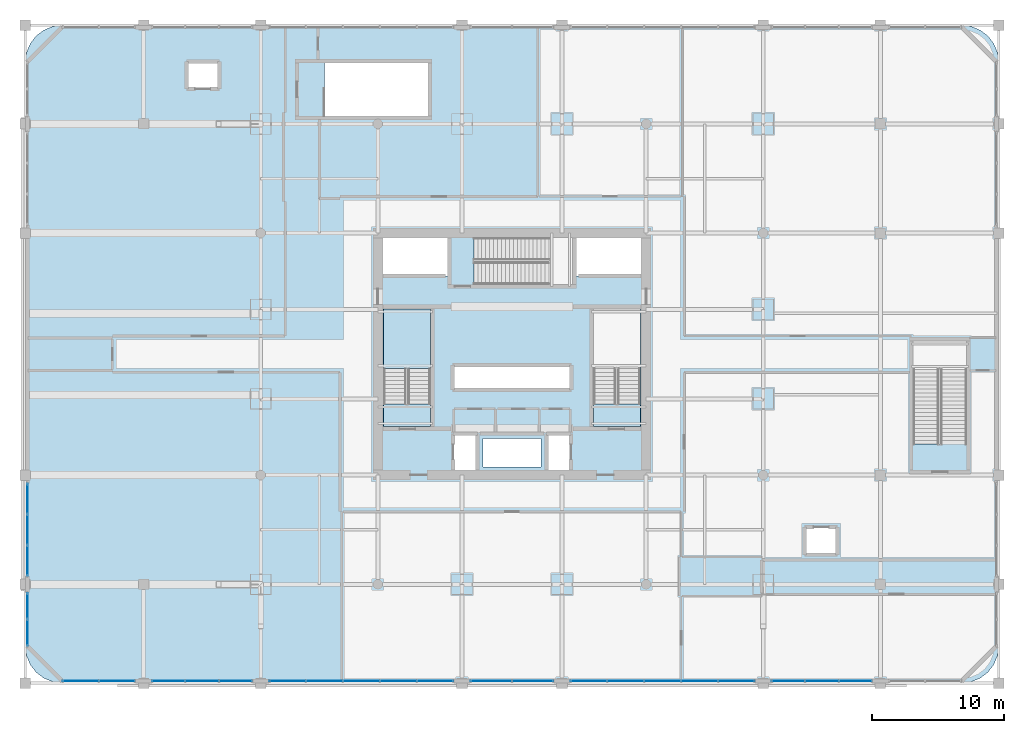
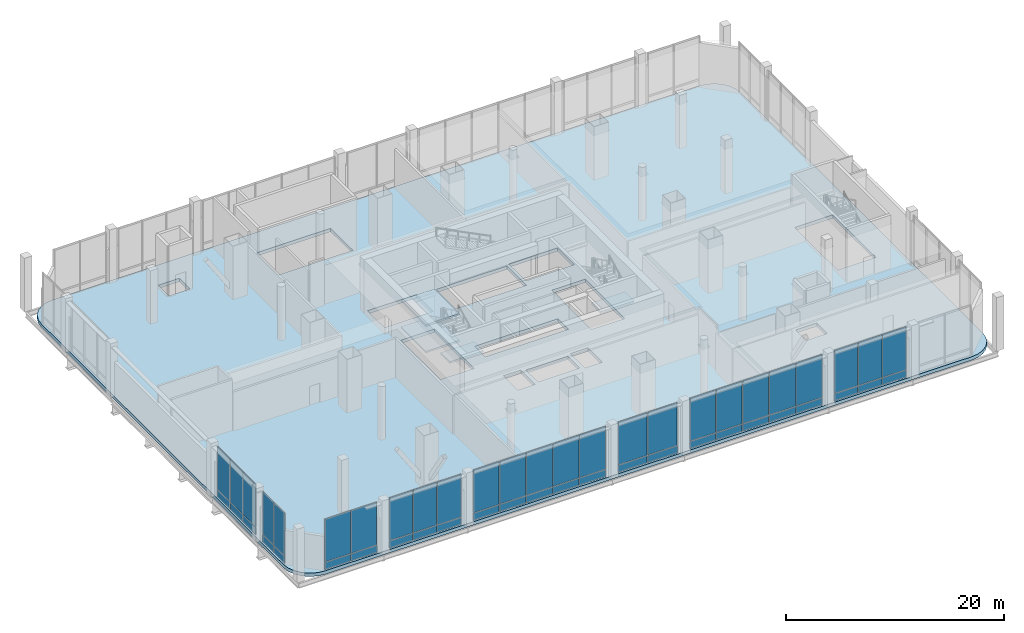
# One storey, part 22 of 38: 50 plates, 5 slabs, 10 elements without a shape of their own.
"""IFC4 building model written with IfcOpenShell, lengths in metres."""

from ifc_helpers import new_model, si_unit, direction, frame, origin, origin_2d, place, context, subcontext, project, spatial, polyline, rectangle, outline, extrude, material, layer, layer_set, type_object, element, aggregate, save


model = new_model("IFC4")

# Units and contexts
model_context = context("Model", 3, precision=1e-05, world=origin(), true_north=direction((0.0, 1.0)))
body_context = subcontext(model_context, "Body", "Model", "MODEL_VIEW")
ifc_project = project(units=[si_unit("LENGTHUNIT", "METRE"), si_unit("AREAUNIT", "SQUARE_METRE"), si_unit("VOLUMEUNIT", "CUBIC_METRE"), si_unit("PLANEANGLEUNIT", "RADIAN"), si_unit("MASSUNIT", "GRAM", prefix="KILO")], contexts=[model_context])

# Site, building, storey
site_placement = place(None, origin())
site = spatial("IfcSite", under=ifc_project, at=site_placement, CompositionType="ELEMENT")
building_placement = place(site_placement, origin())
building = spatial("IfcBuilding", under=site, at=building_placement, Name="Punatoya Terracotta Tower", CompositionType="ELEMENT")
storey_placement = place(building_placement, frame((0.0, 0.0, 22.199951171875)))
storey = spatial("IfcBuildingStorey", under=building, at=storey_placement, Name="L04", CompositionType="ELEMENT", Elevation=22.199951171875)

# Curtain wall, plates
ifc_material_1 = material(Name="Aluminium 6063-T6 + Double Low-E Glass", Category="aluminium")
curtain_wall_type = type_object("IfcCurtainWallType", Name="CW-POD", PredefinedType="NOTDEFINED", material=ifc_material_1)
curtain_wall_1_placement = place(storey_placement, origin())
curtain_wall_1 = element("IfcCurtainWall", 1, at=curtain_wall_1_placement, inside=storey, type_object=curtain_wall_type, Name="L04 Curtain Wall CWP-L04-S1", PredefinedType="NOTDEFINED")
ifc_material_2 = material(Name="Double Low-E Clear Vision Glass", Category="glass")
ifc_layer_1 = layer(ifc_material_2, 0.028076171875)
ifc_layer_set_1 = layer_set([ifc_layer_1], Name="Double Low-E Clear Vision Glass")
plate_type_1 = type_object("IfcPlateType", Name="PLT-GLZ-28", PredefinedType="CURTAIN_PANEL", material=ifc_layer_set_1)
plate_1_placement = place(storey_placement, frame((-32.804931640625, -24.840087890625, 0.89013671875), z_axis=(0.0, 0.0, 1.0), x_axis=(1.0, 0.0, 0.0)))
plate_1 = element("IfcPlate", 2, at=plate_1_placement, type_object=plate_type_1, Name="CWP-L04-S1 Vision Glass Panel 1", PredefinedType="CURTAIN_PANEL", context=body_context, shape_type="SweptSolid", body=[
    extrude(rectangle(XDim=2.705078125, YDim=0.028076171875, at=origin_2d()), origin(), (0.0, 0.0, 1.0), 4.7900390625),
])
plate_2_placement = place(storey_placement, frame((-30.014892578125, -24.840087890625, 0.89013671875), z_axis=(0.0, 0.0, 1.0), x_axis=(1.0, 0.0, 0.0)))
plate_2 = element("IfcPlate", 3, at=plate_2_placement, type_object=plate_type_1, Name="CWP-L04-S1 Vision Glass Panel 2", PredefinedType="CURTAIN_PANEL", context=body_context, shape_type="SweptSolid", body=[
    extrude(rectangle(XDim=2.705078125, YDim=0.028076171875, at=origin_2d()), origin(), (0.0, 0.0, 1.0), 4.7900390625),
])

curtain_wall_2_placement = place(storey_placement, origin())
curtain_wall_2 = element("IfcCurtainWall", 4, at=curtain_wall_2_placement, inside=storey, type_object=curtain_wall_type, Name="L04 Curtain Wall CWP-L04-S2", PredefinedType="NOTDEFINED")
plate_3_placement = place(storey_placement, frame((-26.103271484375, -24.840087890625, 0.89013671875), z_axis=(0.0, 0.0, 1.0), x_axis=(1.0, 0.0, 0.0)))
plate_3 = element("IfcPlate", 5, at=plate_3_placement, type_object=plate_type_1, Name="CWP-L04-S2 Vision Glass Panel 1", PredefinedType="CURTAIN_PANEL", context=body_context, shape_type="SweptSolid", body=[
    extrude(rectangle(XDim=2.46826171875, YDim=0.028076171875, at=origin_2d()), origin(), (0.0, 0.0, 1.0), 4.7900390625),
])
plate_4_placement = place(storey_placement, frame((-23.550048828125, -24.840087890625, 0.89013671875), z_axis=(0.0, 0.0, 1.0), x_axis=(1.0, 0.0, 0.0)))
plate_4 = element("IfcPlate", 6, at=plate_4_placement, type_object=plate_type_1, Name="CWP-L04-S2 Vision Glass Panel 2", PredefinedType="CURTAIN_PANEL", context=body_context, shape_type="SweptSolid", body=[
    extrude(rectangle(XDim=2.46826171875, YDim=0.028076171875, at=origin_2d()), origin(), (0.0, 0.0, 1.0), 4.7900390625),
])
plate_5_placement = place(storey_placement, frame((-20.99658203125, -24.840087890625, 0.89013671875), z_axis=(0.0, 0.0, 1.0), x_axis=(1.0, 0.0, 0.0)))
plate_5 = element("IfcPlate", 7, at=plate_5_placement, type_object=plate_type_1, Name="CWP-L04-S2 Vision Glass Panel 3", PredefinedType="CURTAIN_PANEL", context=body_context, shape_type="SweptSolid", body=[
    extrude(rectangle(XDim=2.46826171875, YDim=0.028076171875, at=origin_2d()), origin(), (0.0, 0.0, 1.0), 4.7900390625),
])

curtain_wall_3_placement = place(storey_placement, origin())
curtain_wall_3 = element("IfcCurtainWall", 8, at=curtain_wall_3_placement, inside=storey, type_object=curtain_wall_type, Name="L04 Curtain Wall CWP-L04-S3", PredefinedType="NOTDEFINED")
plate_6_placement = place(storey_placement, frame((-17.073974609375, -24.840087890625, 0.89013671875), z_axis=(0.0, 0.0, 1.0), x_axis=(1.0, 0.0, 0.0)))
plate_6 = element("IfcPlate", 9, at=plate_6_placement, type_object=plate_type_1, Name="CWP-L04-S3 Vision Glass Panel 1", PredefinedType="CURTAIN_PANEL", context=body_context, shape_type="SweptSolid", body=[
    extrude(rectangle(XDim=2.72705078125, YDim=0.028076171875, at=origin_2d()), origin(), (0.0, 0.0, 1.0), 4.7900390625),
])
plate_7_placement = place(storey_placement, frame((-14.261962890625, -24.840087890625, 0.89013671875), z_axis=(0.0, 0.0, 1.0), x_axis=(1.0, 0.0, 0.0)))
plate_7 = element("IfcPlate", 10, at=plate_7_placement, type_object=plate_type_1, Name="CWP-L04-S3 Vision Glass Panel 2", PredefinedType="CURTAIN_PANEL", context=body_context, shape_type="SweptSolid", body=[
    extrude(rectangle(XDim=2.72705078125, YDim=0.028076171875, at=origin_2d()), origin(), (0.0, 0.0, 1.0), 4.7900390625),
])
plate_8_placement = place(storey_placement, frame((-11.449951171875, -24.840087890625, 0.89013671875), z_axis=(0.0, 0.0, 1.0), x_axis=(1.0, 0.0, 0.0)))
plate_8 = element("IfcPlate", 11, at=plate_8_placement, type_object=plate_type_1, Name="CWP-L04-S3 Vision Glass Panel 3", PredefinedType="CURTAIN_PANEL", context=body_context, shape_type="SweptSolid", body=[
    extrude(rectangle(XDim=2.72705078125, YDim=0.028076171875, at=origin_2d()), origin(), (0.0, 0.0, 1.0), 4.7900390625),
])
plate_9_placement = place(storey_placement, frame((-8.637939453125, -24.840087890625, 0.89013671875), z_axis=(0.0, 0.0, 1.0), x_axis=(1.0, 0.0, 0.0)))
plate_9 = element("IfcPlate", 12, at=plate_9_placement, type_object=plate_type_1, Name="CWP-L04-S3 Vision Glass Panel 4", PredefinedType="CURTAIN_PANEL", context=body_context, shape_type="SweptSolid", body=[
    extrude(rectangle(XDim=2.72705078125, YDim=0.028076171875, at=origin_2d()), origin(), (0.0, 0.0, 1.0), 4.7900390625),
])
plate_10_placement = place(storey_placement, frame((-5.825927734375, -24.840087890625, 0.89013671875), z_axis=(0.0, 0.0, 1.0), x_axis=(1.0, 0.0, 0.0)))
plate_10 = element("IfcPlate", 13, at=plate_10_placement, type_object=plate_type_1, Name="CWP-L04-S3 Vision Glass Panel 5", PredefinedType="CURTAIN_PANEL", context=body_context, shape_type="SweptSolid", body=[
    extrude(rectangle(XDim=2.72705078125, YDim=0.028076171875, at=origin_2d()), origin(), (0.0, 0.0, 1.0), 4.7900390625),
])

curtain_wall_4_placement = place(storey_placement, origin())
curtain_wall_4 = element("IfcCurtainWall", 14, at=curtain_wall_4_placement, inside=storey, type_object=curtain_wall_type, Name="L04 Curtain Wall CWP-L04-S4", PredefinedType="NOTDEFINED")
plate_11_placement = place(storey_placement, frame((-1.590087890625, -24.840087890625, 0.89013671875), z_axis=(0.0, 0.0, 1.0), x_axis=(1.0, 0.0, 0.0)))
plate_11 = element("IfcPlate", 15, at=plate_11_placement, type_object=plate_type_1, Name="CWP-L04-S4 Vision Glass Panel 1", PredefinedType="CURTAIN_PANEL", context=body_context, shape_type="SweptSolid", body=[
    extrude(rectangle(XDim=3.094970703125, YDim=0.028076171875, at=origin_2d()), origin(), (0.0, 0.0, 1.0), 4.7900390625),
])
plate_12_placement = place(storey_placement, frame((1.590087890625, -24.840087890625, 0.89013671875), z_axis=(0.0, 0.0, 1.0), x_axis=(1.0, 0.0, 0.0)))
plate_12 = element("IfcPlate", 16, at=plate_12_placement, type_object=plate_type_1, Name="CWP-L04-S4 Vision Glass Panel 2", PredefinedType="CURTAIN_PANEL", context=body_context, shape_type="SweptSolid", body=[
    extrude(rectangle(XDim=3.094970703125, YDim=0.028076171875, at=origin_2d()), origin(), (0.0, 0.0, 1.0), 4.7900390625),
])

curtain_wall_5_placement = place(storey_placement, origin())
curtain_wall_5 = element("IfcCurtainWall", 17, at=curtain_wall_5_placement, inside=storey, type_object=curtain_wall_type, Name="L04 Curtain Wall CWP-L04-S5", PredefinedType="NOTDEFINED")
plate_13_placement = place(storey_placement, frame((5.825927734375, -24.840087890625, 0.89013671875), z_axis=(0.0, 0.0, 1.0), x_axis=(1.0, 0.0, 0.0)))
plate_13 = element("IfcPlate", 18, at=plate_13_placement, type_object=plate_type_1, Name="CWP-L04-S5 Vision Glass Panel 1", PredefinedType="CURTAIN_PANEL", context=body_context, shape_type="SweptSolid", body=[
    extrude(rectangle(XDim=2.72705078125, YDim=0.028076171875, at=origin_2d()), origin(), (0.0, 0.0, 1.0), 4.7900390625),
])
plate_14_placement = place(storey_placement, frame((8.637939453125, -24.840087890625, 0.89013671875), z_axis=(0.0, 0.0, 1.0), x_axis=(1.0, 0.0, 0.0)))
plate_14 = element("IfcPlate", 19, at=plate_14_placement, type_object=plate_type_1, Name="CWP-L04-S5 Vision Glass Panel 2", PredefinedType="CURTAIN_PANEL", context=body_context, shape_type="SweptSolid", body=[
    extrude(rectangle(XDim=2.72705078125, YDim=0.028076171875, at=origin_2d()), origin(), (0.0, 0.0, 1.0), 4.7900390625),
])
plate_15_placement = place(storey_placement, frame((11.449951171875, -24.840087890625, 0.89013671875), z_axis=(0.0, 0.0, 1.0), x_axis=(1.0, 0.0, 0.0)))
plate_15 = element("IfcPlate", 20, at=plate_15_placement, type_object=plate_type_1, Name="CWP-L04-S5 Vision Glass Panel 3", PredefinedType="CURTAIN_PANEL", context=body_context, shape_type="SweptSolid", body=[
    extrude(rectangle(XDim=2.72705078125, YDim=0.028076171875, at=origin_2d()), origin(), (0.0, 0.0, 1.0), 4.7900390625),
])
plate_16_placement = place(storey_placement, frame((14.261962890625, -24.840087890625, 0.89013671875), z_axis=(0.0, 0.0, 1.0), x_axis=(1.0, 0.0, 0.0)))
plate_16 = element("IfcPlate", 21, at=plate_16_placement, type_object=plate_type_1, Name="CWP-L04-S5 Vision Glass Panel 4", PredefinedType="CURTAIN_PANEL", context=body_context, shape_type="SweptSolid", body=[
    extrude(rectangle(XDim=2.72705078125, YDim=0.028076171875, at=origin_2d()), origin(), (0.0, 0.0, 1.0), 4.7900390625),
])
plate_17_placement = place(storey_placement, frame((17.073974609375, -24.840087890625, 0.89013671875), z_axis=(0.0, 0.0, 1.0), x_axis=(1.0, 0.0, 0.0)))
plate_17 = element("IfcPlate", 22, at=plate_17_placement, type_object=plate_type_1, Name="CWP-L04-S5 Vision Glass Panel 5", PredefinedType="CURTAIN_PANEL", context=body_context, shape_type="SweptSolid", body=[
    extrude(rectangle(XDim=2.72705078125, YDim=0.028076171875, at=origin_2d()), origin(), (0.0, 0.0, 1.0), 4.7900390625),
])

curtain_wall_6_placement = place(storey_placement, origin())
curtain_wall_6 = element("IfcCurtainWall", 23, at=curtain_wall_6_placement, inside=storey, type_object=curtain_wall_type, Name="L04 Curtain Wall CWP-L04-S6", PredefinedType="NOTDEFINED")
plate_18_placement = place(storey_placement, frame((20.99658203125, -24.840087890625, 0.89013671875), z_axis=(0.0, 0.0, 1.0), x_axis=(1.0, 0.0, 0.0)))
plate_18 = element("IfcPlate", 24, at=plate_18_placement, type_object=plate_type_1, Name="CWP-L04-S6 Vision Glass Panel 1", PredefinedType="CURTAIN_PANEL", context=body_context, shape_type="SweptSolid", body=[
    extrude(rectangle(XDim=2.46826171875, YDim=0.028076171875, at=origin_2d()), origin(), (0.0, 0.0, 1.0), 4.7900390625),
])
plate_19_placement = place(storey_placement, frame((23.550048828125, -24.840087890625, 0.89013671875), z_axis=(0.0, 0.0, 1.0), x_axis=(1.0, 0.0, 0.0)))
plate_19 = element("IfcPlate", 25, at=plate_19_placement, type_object=plate_type_1, Name="CWP-L04-S6 Vision Glass Panel 2", PredefinedType="CURTAIN_PANEL", context=body_context, shape_type="SweptSolid", body=[
    extrude(rectangle(XDim=2.46826171875, YDim=0.028076171875, at=origin_2d()), origin(), (0.0, 0.0, 1.0), 4.7900390625),
])
plate_20_placement = place(storey_placement, frame((26.103271484375, -24.840087890625, 0.89013671875), z_axis=(0.0, 0.0, 1.0), x_axis=(1.0, 0.0, 0.0)))
plate_20 = element("IfcPlate", 26, at=plate_20_placement, type_object=plate_type_1, Name="CWP-L04-S6 Vision Glass Panel 3", PredefinedType="CURTAIN_PANEL", context=body_context, shape_type="SweptSolid", body=[
    extrude(rectangle(XDim=2.46826171875, YDim=0.028076171875, at=origin_2d()), origin(), (0.0, 0.0, 1.0), 4.7900390625),
])

curtain_wall_7_placement = place(storey_placement, origin())
curtain_wall_7 = element("IfcCurtainWall", 27, at=curtain_wall_7_placement, inside=storey, type_object=curtain_wall_type, Name="L04 Curtain Wall CWP-L04-W1", PredefinedType="NOTDEFINED")
plate_21_placement = place(storey_placement, frame((-36.840087890625, -21.179931640625, 0.89013671875), z_axis=(0.0, 0.0, 1.0), x_axis=(0.0, 1.0, 0.0)))
plate_21 = element("IfcPlate", 28, at=plate_21_placement, type_object=plate_type_1, Name="CWP-L04-W1 Vision Glass Panel 1", PredefinedType="CURTAIN_PANEL", context=body_context, shape_type="SweptSolid", body=[
    extrude(rectangle(XDim=1.955078125, YDim=0.028076171875, at=origin_2d()), origin(), (0.0, 0.0, 1.0), 4.7900390625),
])
plate_22_placement = place(storey_placement, frame((-36.840087890625, -19.139892578125, 0.89013671875), z_axis=(0.0, 0.0, 1.0), x_axis=(0.0, 1.0, 0.0)))
plate_22 = element("IfcPlate", 29, at=plate_22_placement, type_object=plate_type_1, Name="CWP-L04-W1 Vision Glass Panel 2", PredefinedType="CURTAIN_PANEL", context=body_context, shape_type="SweptSolid", body=[
    extrude(rectangle(XDim=1.955078125, YDim=0.028076171875, at=origin_2d()), origin(), (0.0, 0.0, 1.0), 4.7900390625),
])

curtain_wall_8_placement = place(storey_placement, origin())
curtain_wall_8 = element("IfcCurtainWall", 30, at=curtain_wall_8_placement, inside=storey, type_object=curtain_wall_type, Name="L04 Curtain Wall CWP-L04-W2", PredefinedType="NOTDEFINED")
plate_23_placement = place(storey_placement, frame((-36.840087890625, -15.703369140625, 0.89013671875), z_axis=(0.0, 0.0, 1.0), x_axis=(0.0, 1.0, 0.0)))
plate_23 = element("IfcPlate", 31, at=plate_23_placement, type_object=plate_type_1, Name="CWP-L04-W2 Vision Glass Panel 1", PredefinedType="CURTAIN_PANEL", context=body_context, shape_type="SweptSolid", body=[
    extrude(rectangle(XDim=2.268310546875, YDim=0.028076171875, at=origin_2d()), origin(), (0.0, 0.0, 1.0), 4.7900390625),
])
plate_24_placement = place(storey_placement, frame((-36.840087890625, -13.35009765625, 0.89013671875), z_axis=(0.0, 0.0, 1.0), x_axis=(0.0, 1.0, 0.0)))
plate_24 = element("IfcPlate", 32, at=plate_24_placement, type_object=plate_type_1, Name="CWP-L04-W2 Vision Glass Panel 2", PredefinedType="CURTAIN_PANEL", context=body_context, shape_type="SweptSolid", body=[
    extrude(rectangle(XDim=2.268310546875, YDim=0.028076171875, at=origin_2d()), origin(), (0.0, 0.0, 1.0), 4.7900390625),
])
plate_25_placement = place(storey_placement, frame((-36.840087890625, -10.99658203125, 0.89013671875), z_axis=(0.0, 0.0, 1.0), x_axis=(0.0, 1.0, 0.0)))
plate_25 = element("IfcPlate", 33, at=plate_25_placement, type_object=plate_type_1, Name="CWP-L04-W2 Vision Glass Panel 3", PredefinedType="CURTAIN_PANEL", context=body_context, shape_type="SweptSolid", body=[
    extrude(rectangle(XDim=2.268310546875, YDim=0.028076171875, at=origin_2d()), origin(), (0.0, 0.0, 1.0), 4.7900390625),
])

# Plate
ifc_material_3 = material(Name="Insulated Terracotta-Backed Spandrel Panel", Category="masonry")
ifc_layer_2 = layer(ifc_material_3, 0.044921875)
ifc_layer_set_2 = layer_set([ifc_layer_2], Name="Insulated Terracotta-Backed Spandrel Panel")
plate_type_2 = type_object("IfcPlateType", Name="PLT-SPN-45", PredefinedType="CURTAIN_PANEL", material=ifc_layer_set_2)
plate_26_placement = place(storey_placement, frame((-32.804931640625, -24.840087890625, 0.0400390625), z_axis=(0.0, 0.0, 1.0), x_axis=(1.0, 0.0, 0.0)))
plate_26 = element("IfcPlate", 34, at=plate_26_placement, type_object=plate_type_2, Name="CWP-L04-S1 Terracotta Spandrel Panel 1", PredefinedType="CURTAIN_PANEL", context=body_context, shape_type="SweptSolid", body=[
    extrude(rectangle(XDim=2.705078125, YDim=0.044921875, at=origin_2d()), origin(), (0.0, 0.0, 1.0), 0.77490234375),
])

plate_27_placement = place(storey_placement, frame((-30.014892578125, -24.840087890625, 0.0400390625), z_axis=(0.0, 0.0, 1.0), x_axis=(1.0, 0.0, 0.0)))
plate_27 = element("IfcPlate", 35, at=plate_27_placement, type_object=plate_type_2, Name="CWP-L04-S1 Terracotta Spandrel Panel 2", PredefinedType="CURTAIN_PANEL", context=body_context, shape_type="SweptSolid", body=[
    extrude(rectangle(XDim=2.705078125, YDim=0.044921875, at=origin_2d()), origin(), (0.0, 0.0, 1.0), 0.77490234375),
])

aggregate(curtain_wall_1, [plate_26, plate_1, plate_27, plate_2])

plate_28_placement = place(storey_placement, frame((-26.103271484375, -24.840087890625, 0.0400390625), z_axis=(0.0, 0.0, 1.0), x_axis=(1.0, 0.0, 0.0)))
plate_28 = element("IfcPlate", 36, at=plate_28_placement, type_object=plate_type_2, Name="CWP-L04-S2 Terracotta Spandrel Panel 1", PredefinedType="CURTAIN_PANEL", context=body_context, shape_type="SweptSolid", body=[
    extrude(rectangle(XDim=2.46826171875, YDim=0.044921875, at=origin_2d()), origin(), (0.0, 0.0, 1.0), 0.77490234375),
])

plate_29_placement = place(storey_placement, frame((-23.550048828125, -24.840087890625, 0.0400390625), z_axis=(0.0, 0.0, 1.0), x_axis=(1.0, 0.0, 0.0)))
plate_29 = element("IfcPlate", 37, at=plate_29_placement, type_object=plate_type_2, Name="CWP-L04-S2 Terracotta Spandrel Panel 2", PredefinedType="CURTAIN_PANEL", context=body_context, shape_type="SweptSolid", body=[
    extrude(rectangle(XDim=2.46826171875, YDim=0.044921875, at=origin_2d()), origin(), (0.0, 0.0, 1.0), 0.77490234375),
])

plate_30_placement = place(storey_placement, frame((-20.99658203125, -24.840087890625, 0.0400390625), z_axis=(0.0, 0.0, 1.0), x_axis=(1.0, 0.0, 0.0)))
plate_30 = element("IfcPlate", 38, at=plate_30_placement, type_object=plate_type_2, Name="CWP-L04-S2 Terracotta Spandrel Panel 3", PredefinedType="CURTAIN_PANEL", context=body_context, shape_type="SweptSolid", body=[
    extrude(rectangle(XDim=2.46826171875, YDim=0.044921875, at=origin_2d()), origin(), (0.0, 0.0, 1.0), 0.77490234375),
])

aggregate(curtain_wall_2, [plate_28, plate_3, plate_29, plate_4, plate_30, plate_5])

plate_31_placement = place(storey_placement, frame((-17.073974609375, -24.840087890625, 0.0400390625), z_axis=(0.0, 0.0, 1.0), x_axis=(1.0, 0.0, 0.0)))
plate_31 = element("IfcPlate", 39, at=plate_31_placement, type_object=plate_type_2, Name="CWP-L04-S3 Terracotta Spandrel Panel 1", PredefinedType="CURTAIN_PANEL", context=body_context, shape_type="SweptSolid", body=[
    extrude(rectangle(XDim=2.72705078125, YDim=0.044921875, at=origin_2d()), origin(), (0.0, 0.0, 1.0), 0.77490234375),
])

plate_32_placement = place(storey_placement, frame((-14.261962890625, -24.840087890625, 0.0400390625), z_axis=(0.0, 0.0, 1.0), x_axis=(1.0, 0.0, 0.0)))
plate_32 = element("IfcPlate", 40, at=plate_32_placement, type_object=plate_type_2, Name="CWP-L04-S3 Terracotta Spandrel Panel 2", PredefinedType="CURTAIN_PANEL", context=body_context, shape_type="SweptSolid", body=[
    extrude(rectangle(XDim=2.72705078125, YDim=0.044921875, at=origin_2d()), origin(), (0.0, 0.0, 1.0), 0.77490234375),
])

plate_33_placement = place(storey_placement, frame((-11.449951171875, -24.840087890625, 0.0400390625), z_axis=(0.0, 0.0, 1.0), x_axis=(1.0, 0.0, 0.0)))
plate_33 = element("IfcPlate", 41, at=plate_33_placement, type_object=plate_type_2, Name="CWP-L04-S3 Terracotta Spandrel Panel 3", PredefinedType="CURTAIN_PANEL", context=body_context, shape_type="SweptSolid", body=[
    extrude(rectangle(XDim=2.72705078125, YDim=0.044921875, at=origin_2d()), origin(), (0.0, 0.0, 1.0), 0.77490234375),
])

plate_34_placement = place(storey_placement, frame((-8.637939453125, -24.840087890625, 0.0400390625), z_axis=(0.0, 0.0, 1.0), x_axis=(1.0, 0.0, 0.0)))
plate_34 = element("IfcPlate", 42, at=plate_34_placement, type_object=plate_type_2, Name="CWP-L04-S3 Terracotta Spandrel Panel 4", PredefinedType="CURTAIN_PANEL", context=body_context, shape_type="SweptSolid", body=[
    extrude(rectangle(XDim=2.72705078125, YDim=0.044921875, at=origin_2d()), origin(), (0.0, 0.0, 1.0), 0.77490234375),
])

plate_35_placement = place(storey_placement, frame((-5.825927734375, -24.840087890625, 0.0400390625), z_axis=(0.0, 0.0, 1.0), x_axis=(1.0, 0.0, 0.0)))
plate_35 = element("IfcPlate", 43, at=plate_35_placement, type_object=plate_type_2, Name="CWP-L04-S3 Terracotta Spandrel Panel 5", PredefinedType="CURTAIN_PANEL", context=body_context, shape_type="SweptSolid", body=[
    extrude(rectangle(XDim=2.72705078125, YDim=0.044921875, at=origin_2d()), origin(), (0.0, 0.0, 1.0), 0.77490234375),
])

aggregate(curtain_wall_3, [plate_31, plate_6, plate_32, plate_7, plate_33, plate_8, plate_34, plate_9, plate_35, plate_10])

plate_36_placement = place(storey_placement, frame((-1.590087890625, -24.840087890625, 0.0400390625), z_axis=(0.0, 0.0, 1.0), x_axis=(1.0, 0.0, 0.0)))
plate_36 = element("IfcPlate", 44, at=plate_36_placement, type_object=plate_type_2, Name="CWP-L04-S4 Terracotta Spandrel Panel 1", PredefinedType="CURTAIN_PANEL", context=body_context, shape_type="SweptSolid", body=[
    extrude(rectangle(XDim=3.094970703125, YDim=0.044921875, at=origin_2d()), origin(), (0.0, 0.0, 1.0), 0.77490234375),
])

plate_37_placement = place(storey_placement, frame((1.590087890625, -24.840087890625, 0.0400390625), z_axis=(0.0, 0.0, 1.0), x_axis=(1.0, 0.0, 0.0)))
plate_37 = element("IfcPlate", 45, at=plate_37_placement, type_object=plate_type_2, Name="CWP-L04-S4 Terracotta Spandrel Panel 2", PredefinedType="CURTAIN_PANEL", context=body_context, shape_type="SweptSolid", body=[
    extrude(rectangle(XDim=3.094970703125, YDim=0.044921875, at=origin_2d()), origin(), (0.0, 0.0, 1.0), 0.77490234375),
])

aggregate(curtain_wall_4, [plate_36, plate_11, plate_37, plate_12])

plate_38_placement = place(storey_placement, frame((5.825927734375, -24.840087890625, 0.0400390625), z_axis=(0.0, 0.0, 1.0), x_axis=(1.0, 0.0, 0.0)))
plate_38 = element("IfcPlate", 46, at=plate_38_placement, type_object=plate_type_2, Name="CWP-L04-S5 Terracotta Spandrel Panel 1", PredefinedType="CURTAIN_PANEL", context=body_context, shape_type="SweptSolid", body=[
    extrude(rectangle(XDim=2.72705078125, YDim=0.044921875, at=origin_2d()), origin(), (0.0, 0.0, 1.0), 0.77490234375),
])

plate_39_placement = place(storey_placement, frame((8.637939453125, -24.840087890625, 0.0400390625), z_axis=(0.0, 0.0, 1.0), x_axis=(1.0, 0.0, 0.0)))
plate_39 = element("IfcPlate", 47, at=plate_39_placement, type_object=plate_type_2, Name="CWP-L04-S5 Terracotta Spandrel Panel 2", PredefinedType="CURTAIN_PANEL", context=body_context, shape_type="SweptSolid", body=[
    extrude(rectangle(XDim=2.72705078125, YDim=0.044921875, at=origin_2d()), origin(), (0.0, 0.0, 1.0), 0.77490234375),
])

plate_40_placement = place(storey_placement, frame((11.449951171875, -24.840087890625, 0.0400390625), z_axis=(0.0, 0.0, 1.0), x_axis=(1.0, 0.0, 0.0)))
plate_40 = element("IfcPlate", 48, at=plate_40_placement, type_object=plate_type_2, Name="CWP-L04-S5 Terracotta Spandrel Panel 3", PredefinedType="CURTAIN_PANEL", context=body_context, shape_type="SweptSolid", body=[
    extrude(rectangle(XDim=2.72705078125, YDim=0.044921875, at=origin_2d()), origin(), (0.0, 0.0, 1.0), 0.77490234375),
])

plate_41_placement = place(storey_placement, frame((14.261962890625, -24.840087890625, 0.0400390625), z_axis=(0.0, 0.0, 1.0), x_axis=(1.0, 0.0, 0.0)))
plate_41 = element("IfcPlate", 49, at=plate_41_placement, type_object=plate_type_2, Name="CWP-L04-S5 Terracotta Spandrel Panel 4", PredefinedType="CURTAIN_PANEL", context=body_context, shape_type="SweptSolid", body=[
    extrude(rectangle(XDim=2.72705078125, YDim=0.044921875, at=origin_2d()), origin(), (0.0, 0.0, 1.0), 0.77490234375),
])

plate_42_placement = place(storey_placement, frame((17.073974609375, -24.840087890625, 0.0400390625), z_axis=(0.0, 0.0, 1.0), x_axis=(1.0, 0.0, 0.0)))
plate_42 = element("IfcPlate", 50, at=plate_42_placement, type_object=plate_type_2, Name="CWP-L04-S5 Terracotta Spandrel Panel 5", PredefinedType="CURTAIN_PANEL", context=body_context, shape_type="SweptSolid", body=[
    extrude(rectangle(XDim=2.72705078125, YDim=0.044921875, at=origin_2d()), origin(), (0.0, 0.0, 1.0), 0.77490234375),
])

aggregate(curtain_wall_5, [plate_38, plate_13, plate_39, plate_14, plate_40, plate_15, plate_41, plate_16, plate_42, plate_17])

plate_43_placement = place(storey_placement, frame((20.99658203125, -24.840087890625, 0.0400390625), z_axis=(0.0, 0.0, 1.0), x_axis=(1.0, 0.0, 0.0)))
plate_43 = element("IfcPlate", 51, at=plate_43_placement, type_object=plate_type_2, Name="CWP-L04-S6 Terracotta Spandrel Panel 1", PredefinedType="CURTAIN_PANEL", context=body_context, shape_type="SweptSolid", body=[
    extrude(rectangle(XDim=2.46826171875, YDim=0.044921875, at=origin_2d()), origin(), (0.0, 0.0, 1.0), 0.77490234375),
])

plate_44_placement = place(storey_placement, frame((23.550048828125, -24.840087890625, 0.0400390625), z_axis=(0.0, 0.0, 1.0), x_axis=(1.0, 0.0, 0.0)))
plate_44 = element("IfcPlate", 52, at=plate_44_placement, type_object=plate_type_2, Name="CWP-L04-S6 Terracotta Spandrel Panel 2", PredefinedType="CURTAIN_PANEL", context=body_context, shape_type="SweptSolid", body=[
    extrude(rectangle(XDim=2.46826171875, YDim=0.044921875, at=origin_2d()), origin(), (0.0, 0.0, 1.0), 0.77490234375),
])

plate_45_placement = place(storey_placement, frame((26.103271484375, -24.840087890625, 0.0400390625), z_axis=(0.0, 0.0, 1.0), x_axis=(1.0, 0.0, 0.0)))
plate_45 = element("IfcPlate", 53, at=plate_45_placement, type_object=plate_type_2, Name="CWP-L04-S6 Terracotta Spandrel Panel 3", PredefinedType="CURTAIN_PANEL", context=body_context, shape_type="SweptSolid", body=[
    extrude(rectangle(XDim=2.46826171875, YDim=0.044921875, at=origin_2d()), origin(), (0.0, 0.0, 1.0), 0.77490234375),
])

aggregate(curtain_wall_6, [plate_43, plate_18, plate_44, plate_19, plate_45, plate_20])

plate_46_placement = place(storey_placement, frame((-36.840087890625, -21.179931640625, 0.0400390625), z_axis=(0.0, 0.0, 1.0), x_axis=(0.0, 1.0, 0.0)))
plate_46 = element("IfcPlate", 54, at=plate_46_placement, type_object=plate_type_2, Name="CWP-L04-W1 Terracotta Spandrel Panel 1", PredefinedType="CURTAIN_PANEL", context=body_context, shape_type="SweptSolid", body=[
    extrude(rectangle(XDim=1.955078125, YDim=0.044921875, at=origin_2d()), origin(), (0.0, 0.0, 1.0), 0.77490234375),
])

plate_47_placement = place(storey_placement, frame((-36.840087890625, -19.139892578125, 0.0400390625), z_axis=(0.0, 0.0, 1.0), x_axis=(0.0, 1.0, 0.0)))
plate_47 = element("IfcPlate", 55, at=plate_47_placement, type_object=plate_type_2, Name="CWP-L04-W1 Terracotta Spandrel Panel 2", PredefinedType="CURTAIN_PANEL", context=body_context, shape_type="SweptSolid", body=[
    extrude(rectangle(XDim=1.955078125, YDim=0.044921875, at=origin_2d()), origin(), (0.0, 0.0, 1.0), 0.77490234375),
])

aggregate(curtain_wall_7, [plate_46, plate_21, plate_47, plate_22])

plate_48_placement = place(storey_placement, frame((-36.840087890625, -15.703369140625, 0.0400390625), z_axis=(0.0, 0.0, 1.0), x_axis=(0.0, 1.0, 0.0)))
plate_48 = element("IfcPlate", 56, at=plate_48_placement, type_object=plate_type_2, Name="CWP-L04-W2 Terracotta Spandrel Panel 1", PredefinedType="CURTAIN_PANEL", context=body_context, shape_type="SweptSolid", body=[
    extrude(rectangle(XDim=2.268310546875, YDim=0.044921875, at=origin_2d()), origin(), (0.0, 0.0, 1.0), 0.77490234375),
])

plate_49_placement = place(storey_placement, frame((-36.840087890625, -13.35009765625, 0.0400390625), z_axis=(0.0, 0.0, 1.0), x_axis=(0.0, 1.0, 0.0)))
plate_49 = element("IfcPlate", 57, at=plate_49_placement, type_object=plate_type_2, Name="CWP-L04-W2 Terracotta Spandrel Panel 2", PredefinedType="CURTAIN_PANEL", context=body_context, shape_type="SweptSolid", body=[
    extrude(rectangle(XDim=2.268310546875, YDim=0.044921875, at=origin_2d()), origin(), (0.0, 0.0, 1.0), 0.77490234375),
])

plate_50_placement = place(storey_placement, frame((-36.840087890625, -10.99658203125, 0.0400390625), z_axis=(0.0, 0.0, 1.0), x_axis=(0.0, 1.0, 0.0)))
plate_50 = element("IfcPlate", 58, at=plate_50_placement, type_object=plate_type_2, Name="CWP-L04-W2 Terracotta Spandrel Panel 3", PredefinedType="CURTAIN_PANEL", context=body_context, shape_type="SweptSolid", body=[
    extrude(rectangle(XDim=2.268310546875, YDim=0.044921875, at=origin_2d()), origin(), (0.0, 0.0, 1.0), 0.77490234375),
])

aggregate(curtain_wall_8, [plate_48, plate_23, plate_49, plate_24, plate_50, plate_25])

# Stair, slabs
ifc_material_4 = material(Name="Concrete C40/50", Category="concrete")
stair_type_1 = type_object("IfcStairType", Name="STR-CORE-1550", PredefinedType="HALF_TURN_STAIR", material=ifc_material_4)
stair_1_placement = place(storey_placement, origin())
stair_1 = element("IfcStair", 59, at=stair_1_placement, inside=storey, type_object=stair_type_1, Name="L04 Protected Core Exit Stair ST-1", PredefinedType="HALF_TURN_STAIR")
ifc_layer_3 = layer(ifc_material_4, 0.179931640625)
ifc_layer_set_3 = layer_set([ifc_layer_3], Name="Concrete C40/50")
slab_type_1 = type_object("IfcSlabType", Name="SLB-LND-180", PredefinedType="LANDING", material=ifc_layer_set_3)
slab_1_placement = place(storey_placement, frame((0.0, 0.0, 1.300048828125)))
slab_1 = element("IfcSlab", 60, at=slab_1_placement, type_object=slab_type_1, Name="ST-1 landing 1", PredefinedType="LANDING", context=body_context, shape_type="SweptSolid", body=[
    extrude(outline(polyline([(-6.199951171875, -1.10009765625), (-6.199951171875, 3.449951171875), (-9.75, 3.449951171875), (-9.75, -1.10009765625), (-6.199951171875, -1.10009765625)])), origin(), (0.0, 0.0, 1.0), 0.199951171875),
])
slab_2_placement = place(storey_placement, frame((0.0, 0.0, 2.800048828125)))
slab_2 = element("IfcSlab", 61, at=slab_2_placement, type_object=slab_type_1, Name="ST-1 landing 2", PredefinedType="LANDING", context=body_context, shape_type="SweptSolid", body=[
    extrude(outline(polyline([(-6.199951171875, -5.5), (-6.199951171875, -3.800048828125), (-9.75, -3.800048828125), (-9.75, -5.5), (-6.199951171875, -5.5)])), origin(), (0.0, 0.0, 1.0), 0.199951171875),
])
slab_3_placement = place(storey_placement, frame((0.0, 0.0, 4.300048828125)))
slab_3 = element("IfcSlab", 62, at=slab_3_placement, type_object=slab_type_1, Name="ST-1 landing 3", PredefinedType="LANDING", context=body_context, shape_type="SweptSolid", body=[
    extrude(outline(polyline([(-6.199951171875, -1.10009765625), (-6.199951171875, 3.449951171875), (-9.75, 3.449951171875), (-9.75, -1.10009765625), (-6.199951171875, -1.10009765625)])), origin(), (0.0, 0.0, 1.0), 0.199951171875),
])
aggregate(stair_1, [slab_1, slab_2, slab_3])

# Stair, slab
stair_type_2 = type_object("IfcStairType", Name="STR-LOB-1650", PredefinedType="HALF_TURN_STAIR", material=ifc_material_4)
stair_2_placement = place(storey_placement, origin())
stair_2 = element("IfcStair", 63, at=stair_2_placement, inside=storey, type_object=stair_type_2, Name="L04 Protected Core Exit Stair ST-2", PredefinedType="HALF_TURN_STAIR")
slab_4_placement = place(storey_placement, frame((0.0, 0.0, 2.800048828125)))
slab_4 = element("IfcSlab", 64, at=slab_4_placement, type_object=slab_type_1, Name="ST-2 landing 2", PredefinedType="LANDING", context=body_context, shape_type="SweptSolid", body=[
    extrude(outline(polyline([(9.75, -5.5), (9.75, -3.800048828125), (6.199951171875, -3.800048828125), (6.199951171875, -5.5), (9.75, -5.5)])), origin(), (0.0, 0.0, 1.0), 0.199951171875),
])
aggregate(stair_2, [slab_4])

# Slab
ifc_layer_4 = layer(ifc_material_4, 0.3798828125)
ifc_layer_set_4 = layer_set([ifc_layer_4], Name="Concrete C40/50")
slab_type_2 = type_object("IfcSlabType", Name="SLB-TRF-380", PredefinedType="FLOOR", material=ifc_layer_set_4)
slab_5_placement = place(storey_placement, frame((0.0, 0.0, -0.3798828125)))
element("IfcSlab", 65, at=slab_5_placement, inside=storey, type_object=slab_type_2, Name="L04 Structural Floor Slab", PredefinedType="FLOOR", context=body_context, shape_type="SweptSolid", body=[
    extrude(outline(polyline([(-34.199951171875, -25.0), (-34.9248046875, -24.904541015625), (-35.60009765625, -24.625), (-36.179931640625, -24.179931640625), (-36.625, -23.60009765625), (-36.904541015625, -22.9248046875), (-37.0, -22.199951171875), (-37.0, 22.199951171875), (-36.904541015625, 22.9248046875), (-36.625, 23.60009765625), (-36.179931640625, 24.179931640625), (-35.60009765625, 24.625), (-34.9248046875, 24.904541015625), (-34.199951171875, 25.0), (34.199951171875, 25.0), (34.9248046875, 24.904541015625), (35.60009765625, 24.625), (36.179931640625, 24.179931640625), (36.625, 23.60009765625), (36.904541015625, 22.9248046875), (37.0, 22.199951171875), (37.0, -22.199951171875), (36.904541015625, -22.9248046875), (36.625, -23.60009765625), (36.179931640625, -24.179931640625), (35.60009765625, -24.625), (34.9248046875, -24.904541015625), (34.199951171875, -25.0), (-34.199951171875, -25.0)]), holes=[polyline([(-2.6298828125, -8.820068359375), (-2.6298828125, -6.179931640625), (-4.469970703125, -6.179931640625), (-4.469970703125, -8.820068359375), (-2.6298828125, -8.820068359375)]), polyline([(0.02001953125, -8.594970703125), (2.219970703125, -8.594970703125), (2.219970703125, -6.405029296875), (0.02001953125, -6.405029296875), (-0.02001953125, -6.405029296875), (-2.219970703125, -6.405029296875), (-2.219970703125, -8.594970703125), (-0.02001953125, -8.594970703125), (0.02001953125, -8.594970703125)]), polyline([(-2.219970703125, -0.780029296875), (-4.419921875, -0.780029296875), (-4.419921875, -2.719970703125), (-2.219970703125, -2.719970703125), (-2.179931640625, -2.719970703125), (-0.02001953125, -2.719970703125), (0.02001953125, -2.719970703125), (2.179931640625, -2.719970703125), (2.219970703125, -2.719970703125), (4.419921875, -2.719970703125), (4.419921875, -0.780029296875), (2.219970703125, -0.780029296875), (2.179931640625, -0.780029296875), (0.02001953125, -0.780029296875), (-0.02001953125, -0.780029296875), (-2.179931640625, -0.780029296875), (-2.219970703125, -0.780029296875)]), polyline([(-6.199951171875, 3.449951171875), (-9.75, 3.449951171875), (-9.75, -3.79931640625), (-6.199951171875, -3.79931640625), (-6.199951171875, 3.449951171875)]), polyline([(4.60009765625, 5.300048828125), (4.60009765625, 8.85009765625), (-2.899169921875, 8.85009765625), (-2.899169921875, 5.300048828125), (4.60009765625, 5.300048828125)]), polyline([(-4.89990234375, 5.949951171875), (-4.89990234375, 9.050048828125), (-10.050048828125, 9.050048828125), (-10.050048828125, 5.949951171875), (-4.89990234375, 5.949951171875)]), polyline([(-6.39990234375, 18.10009765625), (-6.39990234375, 22.14990234375), (-14.249267578125, 22.14990234375), (-14.249267578125, 18.10009765625), (-6.39990234375, 18.10009765625)]), polyline([(-22.3798828125, 20.22998046875), (-22.3798828125, 22.169921875), (-24.6201171875, 22.169921875), (-24.6201171875, 20.22998046875), (-22.3798828125, 20.22998046875)]), polyline([(24.6201171875, -15.169921875), (24.6201171875, -13.22998046875), (22.3798828125, -13.22998046875), (22.3798828125, -15.169921875), (24.6201171875, -15.169921875)]), polyline([(4.469970703125, -8.820068359375), (4.469970703125, -6.179931640625), (2.6298828125, -6.179931640625), (2.6298828125, -8.820068359375), (4.469970703125, -8.820068359375)]), polyline([(34.550048828125, 1.0), (30.5, 1.0), (30.5, -6.84912109375), (34.550048828125, -6.84912109375), (34.550048828125, 1.0)]), polyline([(9.75, -3.79931640625), (9.75, 3.449951171875), (6.199951171875, 3.449951171875), (6.199951171875, -3.79931640625), (9.75, -3.79931640625)]), polyline([(4.89990234375, 5.949951171875), (10.050048828125, 5.949951171875), (10.050048828125, 9.050048828125), (4.89990234375, 9.050048828125), (4.89990234375, 5.949951171875)])]), origin(), (0.0, 0.0, 1.0), 0.3798828125),
])

save(model, "model.ifc")
